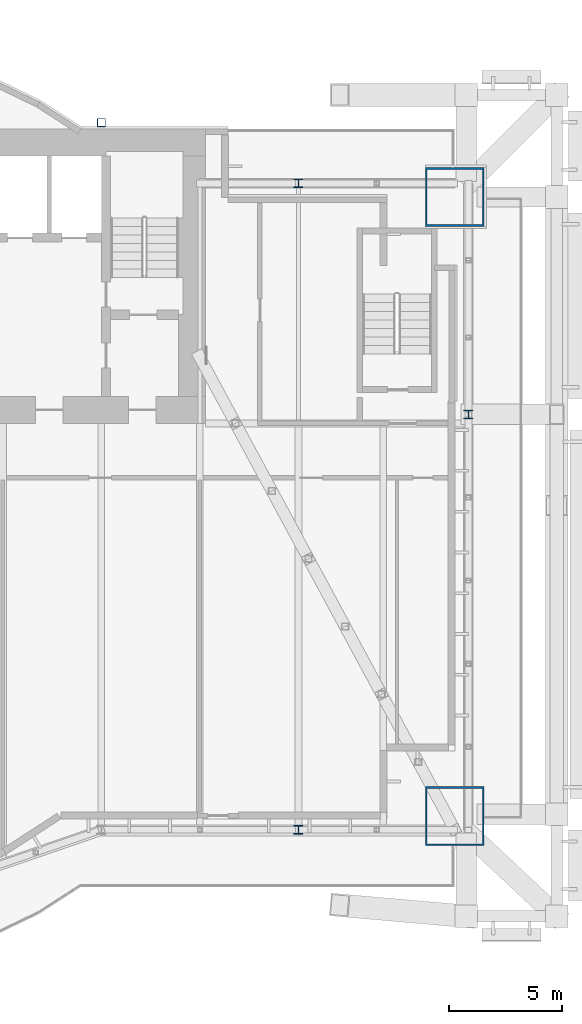
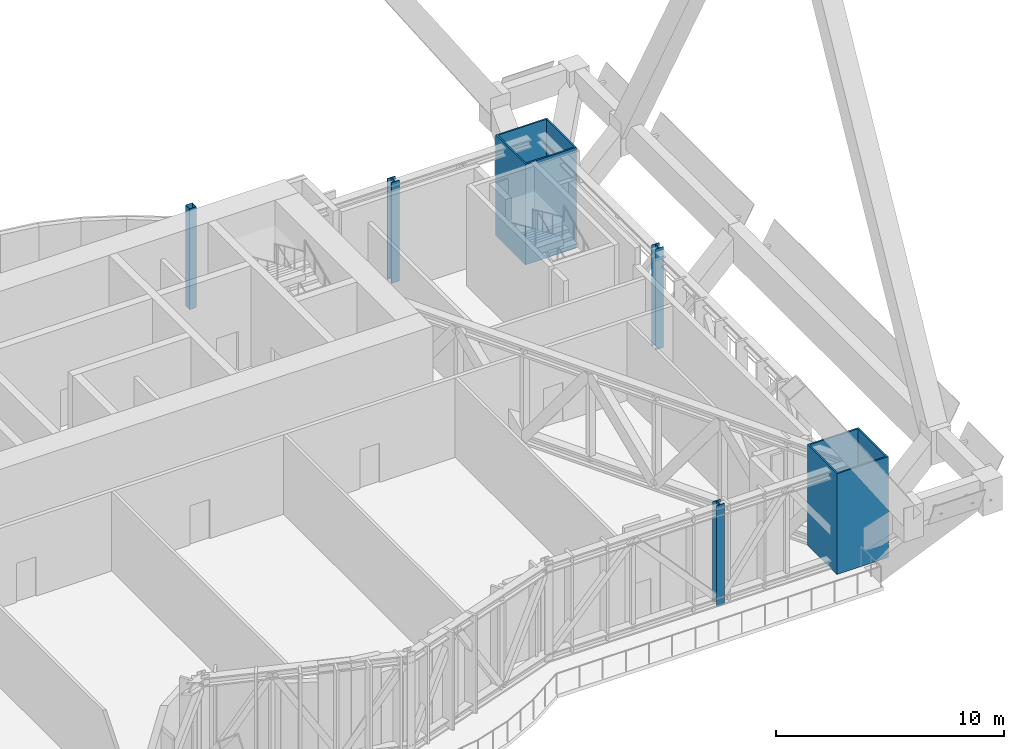
# One storey, part 3 of 30: 6 columns.
"""IFC4 building model written with IfcOpenShell, lengths in metres."""

import ifcopenshell
import ifcopenshell.guid

model = None  # the IFC model being written
_history = None  # IfcOwnerHistory: only IFC2X3 demands one
_inside = {}  # id of a spatial element -> (the spatial element, [elements in it])
_under = {}  # id of a project, library or spatial element -> (it, [spatial elements below it])
_declared = {}  # id of a project -> (the project, [libraries it declares])
_typed = {}  # id of a type object -> (the type object, [elements of that type])
_made_of = {}  # id of a material, layer set ... -> (it, [elements and type objects made of it])


def new_model(schema):
    """Start an empty IFC model of exactly this schema.

    Asked for "IFC4X3", IfcOpenShell would pick the latest addendum, in which some entities
    have other attributes; the version numbers below select the first issue.
    IFC2X3 requires an IfcOwnerHistory on every rooted entity: one is made here for all.
    """
    global model, _history
    if schema == "IFC4X3":
        model = ifcopenshell.file(schema_version=(4, 3, 0, 0))
    else:
        model = ifcopenshell.file(schema=schema)
    _inside.clear()
    _under.clear()
    _declared.clear()
    _typed.clear()
    _made_of.clear()
    _history = None
    if model.schema == "IFC2X3":
        org = make("IfcOrganization", Name="unknown")
        user = make(
            "IfcPersonAndOrganization",
            ThePerson=make("IfcPerson", FamilyName="unknown"),
            TheOrganization=org,
        )
        app = make(
            "IfcApplication",
            ApplicationDeveloper=org,
            Version="unknown",
            ApplicationFullName="unknown",
            ApplicationIdentifier="unknown",
        )
        _history = make(
            "IfcOwnerHistory",
            OwningUser=user,
            OwningApplication=app,
            ChangeAction="ADDED",
            CreationDate=0,
        )
    return model


def make(cls, **values):
    """One entity of the class cls with the attributes given. An attribute that is None is left unset."""
    return model.create_entity(
        cls, **{name: value for name, value in values.items() if value is not None}
    )


def rooted(cls, **values):
    """An entity with a GlobalId (a new one), such as an element, a storey or a relation."""
    return make(cls, GlobalId=ifcopenshell.guid.new(), OwnerHistory=_history, **values)


def si_unit(unit_type, name, prefix=None):
    """IfcSIUnit, for example si_unit("LENGTHUNIT", "METRE", prefix="MILLI")."""
    return make("IfcSIUnit", UnitType=unit_type, Prefix=prefix, Name=name)


def assignment(units):
    """IfcUnitAssignment: the units of a project."""
    return None if units is None else make("IfcUnitAssignment", Units=units)


def point(xyz):
    """IfcCartesianPoint."""
    return None if xyz is None else make("IfcCartesianPoint", Coordinates=xyz)


def direction(xyz):
    """IfcDirection."""
    return None if xyz is None else make("IfcDirection", DirectionRatios=xyz)


def frame(location, z_axis=None, x_axis=None):
    """IfcAxis2Placement3D, a coordinate frame: its origin and axes. An axis left out is left unset."""
    return make(
        "IfcAxis2Placement3D",
        Location=point(location),
        Axis=direction(z_axis),
        RefDirection=direction(x_axis),
    )


def frame_2d(location, x_axis=None):
    """IfcAxis2Placement2D, a coordinate frame in the plane: its origin and x axis."""
    return make(
        "IfcAxis2Placement2D", Location=point(location), RefDirection=direction(x_axis)
    )


def origin():
    """The frame at (0, 0, 0) with its axes left unset."""
    return frame((0.0, 0.0, 0.0))


def origin_2d():
    """The frame at (0, 0) in the plane with its x axis left unset."""
    return frame_2d((0.0, 0.0))


def place(relative_to, where):
    """IfcLocalPlacement: puts the frame where relative to a parent placement (None: the world)."""
    return make(
        "IfcLocalPlacement", PlacementRelTo=relative_to, RelativePlacement=where
    )


def context(
    kind, dimensions, precision=None, world=None, true_north=None, identifier=None
):
    """IfcGeometricRepresentationContext, for example the 3D "Model" context."""
    return make(
        "IfcGeometricRepresentationContext",
        ContextIdentifier=identifier,
        ContextType=kind,
        CoordinateSpaceDimension=dimensions,
        Precision=precision,
        WorldCoordinateSystem=world,
        TrueNorth=true_north,
    )


def subcontext(parent, identifier, kind, view, scale=None):
    """IfcGeometricRepresentationSubContext, for example "Body" below "Model"."""
    return make(
        "IfcGeometricRepresentationSubContext",
        ContextIdentifier=identifier,
        ContextType=kind,
        ParentContext=parent,
        TargetScale=scale,
        TargetView=view,
    )


def project(units=None, contexts=None):
    """IfcProject with its units and contexts."""
    return rooted(
        "IfcProject",
        Name="project",
        RepresentationContexts=contexts,
        UnitsInContext=assignment(units),
    )


def spatial(cls, under=None, at=None, **own):
    """A site, building, storey or space (cls), placed at a placement, below another one or the project."""
    s = rooted(cls, ObjectPlacement=at, **own)
    if under is not None:
        _under.setdefault(under.id(), (under, []))[1].append(s)
    return s


def profile(cls, at=None, kind="AREA", **sizes):
    """A parametric profile (cls). Its sizes go by their IFC names, for example OverallWidth=200.0."""
    return make(cls, ProfileType=kind, Position=at, **sizes)


def hollow_rectangle(**sizes):
    """IfcRectangleHollowProfileDef."""
    return profile("IfcRectangleHollowProfileDef", **sizes)


def i_section(**sizes):
    """IfcIShapeProfileDef."""
    return profile("IfcIShapeProfileDef", **sizes)


def extrude(swept, where, along, depth):
    """IfcExtrudedAreaSolid: the profile swept, set in the frame where, extruded along a direction by depth."""
    return make(
        "IfcExtrudedAreaSolid",
        SweptArea=swept,
        Position=where,
        ExtrudedDirection=direction(along),
        Depth=depth,
    )


def shape(context_of_items, identifier, shape_type, items):
    """IfcShapeRepresentation: the items that make up one representation, for example the "Body"."""
    return make(
        "IfcShapeRepresentation",
        ContextOfItems=context_of_items,
        RepresentationIdentifier=identifier,
        RepresentationType=shape_type,
        Items=items,
    )


def material(Name=None, Category=None):
    """IfcMaterial."""
    return make("IfcMaterial", Name=Name, Category=Category)


def material_profile(
    of_material, cross_section, Name=None, Category=None, Priority=None
):
    """IfcMaterialProfile: a cross section and its material."""
    return make(
        "IfcMaterialProfile",
        Name=Name,
        Material=of_material,
        Profile=cross_section,
        Priority=Priority,
        Category=Category,
    )


def profile_set(profiles, Name=None, composite=None):
    """IfcMaterialProfileSet."""
    return make(
        "IfcMaterialProfileSet",
        Name=Name,
        MaterialProfiles=profiles,
        CompositeProfile=composite,
    )


def made_of(thing, what):
    """Note that an element or type object is made of a material, layer set ...; save() writes the relation."""
    if what is not None:
        _made_of.setdefault(what.id(), (what, []))[1].append(thing)
    return thing


def type_object(cls, material=None, **own):
    """A type object (cls), such as IfcWallType, which elements share."""
    return made_of(rooted(cls, **own), material)


def element(
    cls,
    number,
    at=None,
    inside=None,
    cuts=None,
    type_object=None,
    material=None,
    context=None,
    identifier="Body",
    shape_type=None,
    held_by="IfcProductDefinitionShape",
    body=None,
    shapes=None,
    **own,
):
    """One element of the class cls, such as IfcWall. Its Tag is "e" and its number.

    at: its placement. inside: the storey or other place that contains it. cuts: it is an
    opening in that element (IfcRelVoidsElement). A single representation is given by context,
    identifier, shape_type and body (its items); several are given by shapes. held_by: the class
    of the entity that holds the representations. save() writes the other relations.
    """
    e = rooted(cls, Tag="e%d" % number, ObjectPlacement=at, **own)
    if body is not None:
        shapes = [shape(context, identifier, shape_type, body)]
    if shapes is not None:
        e.Representation = make(held_by, Representations=shapes)
    if inside is not None:
        _inside.setdefault(inside.id(), (inside, []))[1].append(e)
    if cuts is not None:
        rooted(
            "IfcRelVoidsElement", RelatingBuildingElement=cuts, RelatedOpeningElement=e
        )
    if type_object is not None:
        _typed.setdefault(type_object.id(), (type_object, []))[1].append(e)
    return made_of(e, material)


def aggregate(whole, parts):
    """IfcRelAggregates: a whole, such as a stair, and the parts it consists of."""
    return rooted("IfcRelAggregates", RelatingObject=whole, RelatedObjects=parts)


def save(model, path):
    """Write the relations noted so far, then the file.

    IfcRelAggregates (storeys below a building ...), IfcRelContainedInSpatialStructure (elements
    in a storey), IfcRelDefinesByType, IfcRelAssociatesMaterial and IfcRelDeclares: one each for
    every whole, place, type object, material and project.
    """
    for whole, parts in _under.values():
        aggregate(whole, parts)
    for where, things in _inside.values():
        rooted(
            "IfcRelContainedInSpatialStructure",
            RelatedElements=things,
            RelatingStructure=where,
        )
    for kind, things in _typed.values():
        rooted("IfcRelDefinesByType", RelatedObjects=things, RelatingType=kind)
    for what, things in _made_of.values():
        rooted("IfcRelAssociatesMaterial", RelatedObjects=things, RelatingMaterial=what)
    for by, libraries in _declared.values():
        rooted("IfcRelDeclares", RelatingContext=by, RelatedDefinitions=libraries)
    model.write(path)


model = new_model("IFC4")

# Units and contexts
model_context = context("Model", 3, precision=1e-05, world=origin(), true_north=direction((0.0, 1.0)))
body_context = subcontext(model_context, "Body", "Model", "MODEL_VIEW")
ifc_project = project(units=[si_unit("LENGTHUNIT", "METRE"), si_unit("AREAUNIT", "SQUARE_METRE"), si_unit("VOLUMEUNIT", "CUBIC_METRE"), si_unit("PLANEANGLEUNIT", "RADIAN"), si_unit("MASSUNIT", "GRAM", prefix="KILO")], contexts=[model_context])

# Site, building, storey
site_placement = place(None, origin())
site = spatial("IfcSite", under=ifc_project, at=site_placement, CompositionType="ELEMENT")
building_placement = place(site_placement, origin())
building = spatial("IfcBuilding", under=site, at=building_placement, Name="Bicima Exchange Tower", CompositionType="ELEMENT")
storey_placement = place(building_placement, frame((0.0, 0.0, 185.5)))
storey = spatial("IfcBuildingStorey", under=building, at=storey_placement, Name="L41", CompositionType="ELEMENT", Elevation=185.5)

# Columns
ifc_material_1 = material(Name="Steel ASTM A572 Gr 50", Category="steel")
ifc_material_profile_1 = material_profile(ifc_material_1, hollow_rectangle(XDim=2.60009765625, YDim=2.60009765625, WallThickness=0.080078125, at=origin_2d()))
ifc_profile_set_1 = profile_set([ifc_material_profile_1], Name="Steel ASTM A572 Gr 50")
column_type_1 = type_object("IfcColumnType", Name="Mega column BOX 2600x2600x80", PredefinedType="COLUMN", material=ifc_profile_set_1)
for number, where, z_axis, x_axis, name in (
    (1, (33.0, -30.337890625, 0.0), (0.0, 0.0, 1.0), (1.0, 0.0, 0.0), "Mega column mega+33.0f"),
    (2, (33.0, -3.0, 0.0), (0.0, 0.0, 1.0), (1.0, 0.0, 0.0), "Mega column mega+33.0r"),
):
    element("IfcColumn", number, at=place(storey_placement, frame(where, z_axis=z_axis, x_axis=x_axis)), inside=storey, type_object=column_type_1, Name=name, PredefinedType="COLUMN", context=body_context, shape_type="SweptSolid", body=[
        extrude(hollow_rectangle(XDim=2.60009765625, YDim=2.60009765625, WallThickness=0.080078125, at=origin_2d()), origin(), (0.0, 0.0, 1.0), 5.39990234375),
    ])
ifc_material_2 = material(Name="Steel ASTM A992 Gr 50", Category="steel")
ifc_material_profile_2 = material_profile(ifc_material_2, i_section(OverallWidth=0.396240234375, OverallDepth=0.381103515625, WebThickness=0.01904296875, FlangeThickness=0.0302734375, at=origin_2d()))
ifc_profile_set_2 = profile_set([ifc_material_profile_2], Name="Steel ASTM A992 Gr 50")
column_type_2 = type_object("IfcColumnType", Name="Perimeter column W14x159", PredefinedType="COLUMN", material=ifc_profile_set_2)
for number, where, z_axis, x_axis, name in (
    (3, (26.10009765625, -30.93798828125, 0.0), (0.0, 0.0, 1.0), (1.0, 0.0, 0.0), "Perimeter column grav+26.1f"),
    (4, (26.10009765625, -2.39990234375, 0.0), (0.0, 0.0, 1.0), (1.0, 0.0, 0.0), "Perimeter column grav+26.1r"),
    (5, (33.60009765625, -12.60009765625, 0.0), (0.0, 0.0, 1.0), (1.0, 0.0, 0.0), "End column end+33.6e"),
):
    element("IfcColumn", number, at=place(storey_placement, frame(where, z_axis=z_axis, x_axis=x_axis)), inside=storey, type_object=column_type_2, Name=name, PredefinedType="COLUMN", context=body_context, shape_type="SweptSolid", body=[
        extrude(i_section(OverallWidth=0.396240234375, OverallDepth=0.381103515625, WebThickness=0.01904296875, FlangeThickness=0.0302734375, at=origin_2d()), origin(), (0.0, 0.0, 1.0), 5.39990234375),
    ])
ifc_material_profile_3 = material_profile(ifc_material_1, hollow_rectangle(XDim=0.355712890625, YDim=0.355712890625, WallThickness=0.01171875, at=origin_2d()))
ifc_profile_set_3 = profile_set([ifc_material_profile_3], Name="Steel ASTM A572 Gr 50")
column_type_3 = type_object("IfcColumnType", Name="Rear pilaster HSS14x14x1/2", PredefinedType="COLUMN", material=ifc_profile_set_3)
column_placement = place(storey_placement, frame((17.39990234375, 0.278076171875, 0.0), z_axis=(0.0, 0.0, 1.0), x_axis=(1.0, 0.0, 0.0)))
element("IfcColumn", 6, at=column_placement, inside=storey, type_object=column_type_3, Name="Rear pilaster rexo+17.4r", PredefinedType="COLUMN", context=body_context, shape_type="SweptSolid", body=[
    extrude(hollow_rectangle(XDim=0.355712890625, YDim=0.355712890625, WallThickness=0.01171875, at=origin_2d()), origin(), (0.0, 0.0, 1.0), 5.39990234375),
])

save(model, "model.ifc")
